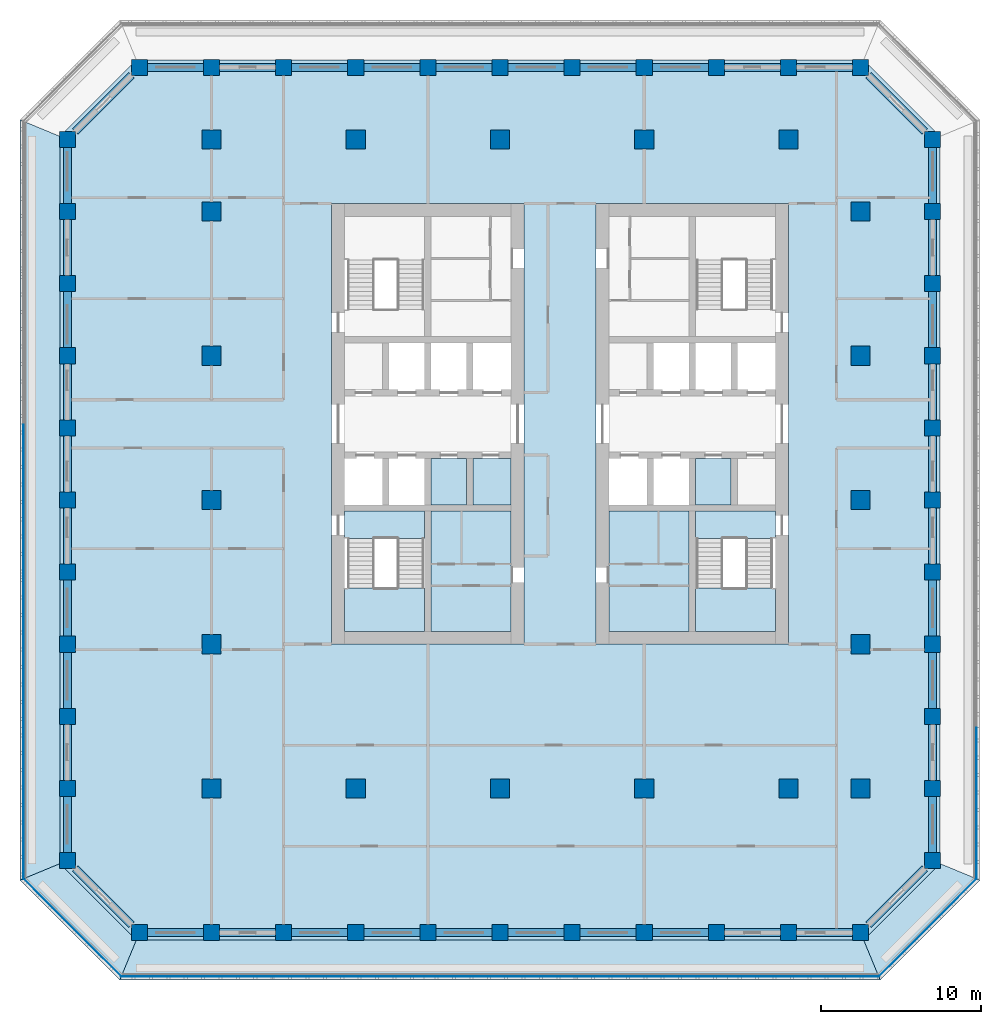
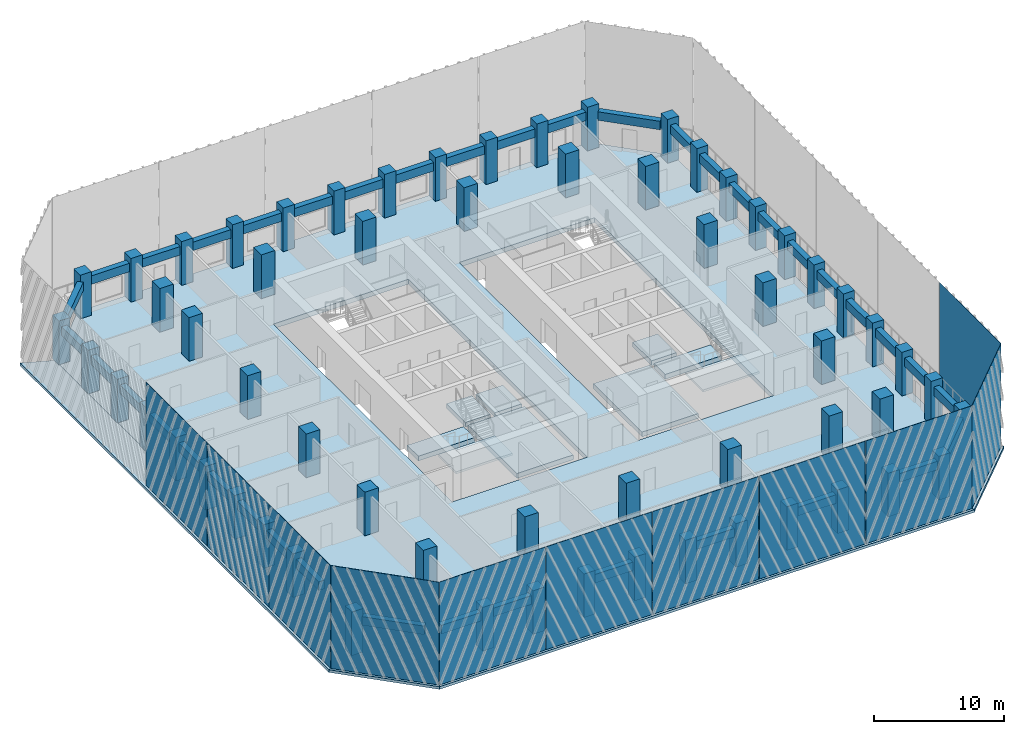
# One storey, part 1 of 18: 63 columns, 44 beams, 14 slabs, 11 plates, 2 elements without a shape of their own.
"""IFC4 building model written with IfcOpenShell, lengths in metres."""

from ifc_helpers import new_model, si_unit, direction, frame, origin, origin_2d, place, context, subcontext, project, spatial, polyline, rectangle, outline, extrude, material, layer, layer_set, material_profile, profile_set, type_object, element, aggregate, save


model = new_model("IFC4")

# Units and contexts
model_context = context("Model", 3, precision=1e-05, world=origin(), true_north=direction((0.0, 1.0)))
body_context = subcontext(model_context, "Body", "Model", "MODEL_VIEW")
ifc_project = project(units=[si_unit("LENGTHUNIT", "METRE"), si_unit("AREAUNIT", "SQUARE_METRE"), si_unit("VOLUMEUNIT", "CUBIC_METRE"), si_unit("PLANEANGLEUNIT", "RADIAN"), si_unit("MASSUNIT", "GRAM", prefix="KILO")], contexts=[model_context])

# Site, building, storey
site_placement = place(None, origin())
site = spatial("IfcSite", under=ifc_project, at=site_placement, CompositionType="ELEMENT")
building_placement = place(site_placement, origin())
building = spatial("IfcBuilding", under=site, at=building_placement, Name="Corbel Stack Research Tower", CompositionType="ELEMENT")
storey_placement = place(building_placement, frame((0.0, 0.0, 181.39990234375)))
storey = spatial("IfcBuildingStorey", under=building, at=storey_placement, Name="L41", CompositionType="ELEMENT", Elevation=181.39990234375)

# Columns
ifc_material_1 = material(Name="Concrete C60/75", Category="concrete")
ifc_material_profile_1 = material_profile(ifc_material_1, rectangle(XDim=1.0, YDim=1.0, at=origin_2d()), Name="RC 1000 x 1000")
ifc_profile_set_1 = profile_set([ifc_material_profile_1], Name="Concrete C60/75")
column_type_1 = type_object("IfcColumnType", Name="C-1000-60", PredefinedType="COLUMN", material=ifc_profile_set_1)
for number, where, z_axis, x_axis, name in (
    (1, (-27.0, -22.5, 0.0), (0.0, 0.0, 1.0), (1.0, 0.0, 0.0), "Column 2/C L41"),
    (2, (-27.0, -18.0, 0.0), (0.0, 0.0, 1.0), (1.0, 0.0, 0.0), "Column 2/D L41"),
    (3, (-27.0, -13.5, 0.0), (0.0, 0.0, 1.0), (1.0, 0.0, 0.0), "Column 2/E L41"),
    (4, (-27.0, -9.0, 0.0), (0.0, 0.0, 1.0), (1.0, 0.0, 0.0), "Column 2/F L41"),
    (5, (-27.0, -4.5, 0.0), (0.0, 0.0, 1.0), (1.0, 0.0, 0.0), "Column 2/G L41"),
    (6, (-27.0, 0.0, 0.0), (0.0, 0.0, 1.0), (1.0, 0.0, 0.0), "Column 2/H L41"),
    (7, (-27.0, 4.5, 0.0), (0.0, 0.0, 1.0), (1.0, 0.0, 0.0), "Column 2/J L41"),
    (8, (-27.0, 9.0, 0.0), (0.0, 0.0, 1.0), (1.0, 0.0, 0.0), "Column 2/K L41"),
    (9, (-27.0, 13.5, 0.0), (0.0, 0.0, 1.0), (1.0, 0.0, 0.0), "Column 2/L L41"),
    (10, (-27.0, 18.0, 0.0), (0.0, 0.0, 1.0), (1.0, 0.0, 0.0), "Column 2/M L41"),
    (11, (-27.0, 22.5, 0.0), (0.0, 0.0, 1.0), (1.0, 0.0, 0.0), "Column 2/N L41"),
    (12, (-22.5, -27.0, 0.0), (0.0, 0.0, 1.0), (1.0, 0.0, 0.0), "Column 3/B L41"),
    (13, (-22.5, 27.0, 0.0), (0.0, 0.0, 1.0), (1.0, 0.0, 0.0), "Column 3/P L41"),
    (14, (-18.0, -27.0, 0.0), (0.0, 0.0, 1.0), (1.0, 0.0, 0.0), "Column 4/B L41"),
    (15, (-18.0, 27.0, 0.0), (0.0, 0.0, 1.0), (1.0, 0.0, 0.0), "Column 4/P L41"),
    (16, (-13.5, -27.0, 0.0), (0.0, 0.0, 1.0), (1.0, 0.0, 0.0), "Column 5/B L41"),
    (17, (-13.5, 27.0, 0.0), (0.0, 0.0, 1.0), (1.0, 0.0, 0.0), "Column 5/P L41"),
    (18, (-9.0, -27.0, 0.0), (0.0, 0.0, 1.0), (1.0, 0.0, 0.0), "Column 6/B L41"),
    (19, (-9.0, 27.0, 0.0), (0.0, 0.0, 1.0), (1.0, 0.0, 0.0), "Column 6/P L41"),
    (20, (-4.5, -27.0, 0.0), (0.0, 0.0, 1.0), (1.0, 0.0, 0.0), "Column 7/B L41"),
    (21, (-4.5, 27.0, 0.0), (0.0, 0.0, 1.0), (1.0, 0.0, 0.0), "Column 7/P L41"),
    (22, (0.0, -27.0, 0.0), (0.0, 0.0, 1.0), (1.0, 0.0, 0.0), "Column 8/B L41"),
    (23, (0.0, 27.0, 0.0), (0.0, 0.0, 1.0), (1.0, 0.0, 0.0), "Column 8/P L41"),
    (24, (4.5, -27.0, 0.0), (0.0, 0.0, 1.0), (1.0, 0.0, 0.0), "Column 9/B L41"),
    (25, (4.5, 27.0, 0.0), (0.0, 0.0, 1.0), (1.0, 0.0, 0.0), "Column 9/P L41"),
    (26, (9.0, -27.0, 0.0), (0.0, 0.0, 1.0), (1.0, 0.0, 0.0), "Column 10/B L41"),
    (27, (9.0, 27.0, 0.0), (0.0, 0.0, 1.0), (1.0, 0.0, 0.0), "Column 10/P L41"),
    (28, (13.5, -27.0, 0.0), (0.0, 0.0, 1.0), (1.0, 0.0, 0.0), "Column 11/B L41"),
    (29, (13.5, 27.0, 0.0), (0.0, 0.0, 1.0), (1.0, 0.0, 0.0), "Column 11/P L41"),
    (30, (18.0, -27.0, 0.0), (0.0, 0.0, 1.0), (1.0, 0.0, 0.0), "Column 12/B L41"),
    (31, (18.0, 27.0, 0.0), (0.0, 0.0, 1.0), (1.0, 0.0, 0.0), "Column 12/P L41"),
    (32, (22.5, -27.0, 0.0), (0.0, 0.0, 1.0), (1.0, 0.0, 0.0), "Column 13/B L41"),
    (33, (22.5, 27.0, 0.0), (0.0, 0.0, 1.0), (1.0, 0.0, 0.0), "Column 13/P L41"),
    (34, (27.0, -22.5, 0.0), (0.0, 0.0, 1.0), (1.0, 0.0, 0.0), "Column 14/C L41"),
    (35, (27.0, -18.0, 0.0), (0.0, 0.0, 1.0), (1.0, 0.0, 0.0), "Column 14/D L41"),
    (36, (27.0, -13.5, 0.0), (0.0, 0.0, 1.0), (1.0, 0.0, 0.0), "Column 14/E L41"),
    (37, (27.0, -9.0, 0.0), (0.0, 0.0, 1.0), (1.0, 0.0, 0.0), "Column 14/F L41"),
    (38, (27.0, -4.5, 0.0), (0.0, 0.0, 1.0), (1.0, 0.0, 0.0), "Column 14/G L41"),
    (39, (27.0, 0.0, 0.0), (0.0, 0.0, 1.0), (1.0, 0.0, 0.0), "Column 14/H L41"),
    (40, (27.0, 4.5, 0.0), (0.0, 0.0, 1.0), (1.0, 0.0, 0.0), "Column 14/J L41"),
    (41, (27.0, 9.0, 0.0), (0.0, 0.0, 1.0), (1.0, 0.0, 0.0), "Column 14/K L41"),
    (42, (27.0, 13.5, 0.0), (0.0, 0.0, 1.0), (1.0, 0.0, 0.0), "Column 14/L L41"),
    (43, (27.0, 18.0, 0.0), (0.0, 0.0, 1.0), (1.0, 0.0, 0.0), "Column 14/M L41"),
    (44, (27.0, 22.5, 0.0), (0.0, 0.0, 1.0), (1.0, 0.0, 0.0), "Column 14/N L41"),
):
    element("IfcColumn", number, at=place(storey_placement, frame(where, z_axis=z_axis, x_axis=x_axis)), inside=storey, type_object=column_type_1, Name=name, PredefinedType="COLUMN", context=body_context, shape_type="SweptSolid", body=[
        extrude(rectangle(XDim=1.0, YDim=1.0, at=origin_2d()), origin(), (0.0, 0.0, 1.0), 4.10009765625),
    ])
ifc_material_2 = material(Name="Concrete C60/75", Category="concrete")
ifc_material_profile_2 = material_profile(ifc_material_2, rectangle(XDim=1.199951171875, YDim=1.199951171875, at=origin_2d()), Name="RC 1200 x 1200")
ifc_profile_set_2 = profile_set([ifc_material_profile_2], Name="Concrete C60/75")
column_type_2 = type_object("IfcColumnType", Name="C-1200-60", PredefinedType="COLUMN", material=ifc_profile_set_2)
for number, where, z_axis, x_axis, name in (
    (45, (-18.0, -18.0, 0.0), (0.0, 0.0, 1.0), (1.0, 0.0, 0.0), "Column 4/D L41"),
    (46, (-18.0, -9.0, 0.0), (0.0, 0.0, 1.0), (1.0, 0.0, 0.0), "Column 4/F L41"),
    (47, (-18.0, 0.0, 0.0), (0.0, 0.0, 1.0), (1.0, 0.0, 0.0), "Column 4/H L41"),
    (48, (-18.0, 9.0, 0.0), (0.0, 0.0, 1.0), (1.0, 0.0, 0.0), "Column 4/K L41"),
    (49, (-18.0, 18.0, 0.0), (0.0, 0.0, 1.0), (1.0, 0.0, 0.0), "Column 4/M L41"),
    (50, (-18.0, 22.5, 0.0), (0.0, 0.0, 1.0), (1.0, 0.0, 0.0), "Column 4/N L41"),
    (51, (-9.0, -18.0, 0.0), (0.0, 0.0, 1.0), (1.0, 0.0, 0.0), "Column 6/D L41"),
    (52, (-9.0, 22.5, 0.0), (0.0, 0.0, 1.0), (1.0, 0.0, 0.0), "Column 6/N L41"),
    (53, (0.0, -18.0, 0.0), (0.0, 0.0, 1.0), (1.0, 0.0, 0.0), "Column 8/D L41"),
    (54, (0.0, 22.5, 0.0), (0.0, 0.0, 1.0), (1.0, 0.0, 0.0), "Column 8/N L41"),
    (55, (9.0, -18.0, 0.0), (0.0, 0.0, 1.0), (1.0, 0.0, 0.0), "Column 10/D L41"),
    (56, (9.0, 22.5, 0.0), (0.0, 0.0, 1.0), (1.0, 0.0, 0.0), "Column 10/N L41"),
    (57, (18.0, -18.0, 0.0), (0.0, 0.0, 1.0), (1.0, 0.0, 0.0), "Column 12/D L41"),
    (58, (18.0, 22.5, 0.0), (0.0, 0.0, 1.0), (1.0, 0.0, 0.0), "Column 12/N L41"),
    (59, (22.5, -18.0, 0.0), (0.0, 0.0, 1.0), (1.0, 0.0, 0.0), "Column 13/D L41"),
    (60, (22.5, -9.0, 0.0), (0.0, 0.0, 1.0), (1.0, 0.0, 0.0), "Column 13/F L41"),
    (61, (22.5, 0.0, 0.0), (0.0, 0.0, 1.0), (1.0, 0.0, 0.0), "Column 13/H L41"),
    (62, (22.5, 9.0, 0.0), (0.0, 0.0, 1.0), (1.0, 0.0, 0.0), "Column 13/K L41"),
    (63, (22.5, 18.0, 0.0), (0.0, 0.0, 1.0), (1.0, 0.0, 0.0), "Column 13/M L41"),
):
    element("IfcColumn", number, at=place(storey_placement, frame(where, z_axis=z_axis, x_axis=x_axis)), inside=storey, type_object=column_type_2, Name=name, PredefinedType="COLUMN", context=body_context, shape_type="SweptSolid", body=[
        extrude(rectangle(XDim=1.199951171875, YDim=1.199951171875, at=origin_2d()), origin(), (0.0, 0.0, 1.0), 4.10009765625),
    ])

# Beams
ifc_material_3 = material(Name="Concrete C60/75", Category="concrete")
ifc_material_profile_3 = material_profile(ifc_material_3, rectangle(XDim=0.5, YDim=0.800048828125, at=origin_2d()), Name="RC 500 x 800")
ifc_profile_set_3 = profile_set([ifc_material_profile_3], Name="Concrete C60/75")
beam_type = type_object("IfcBeamType", Name="SB-500-800-600", PredefinedType="SPANDREL", material=ifc_profile_set_3)
for number, where, z_axis, x_axis, name in (
    (64, (-22.0, -27.0, 3.10009765625), (1.0, 0.0, 0.0), (0.0, 1.0, 0.0), "Spandrel beam L41-01"),
    (65, (-17.5, -27.0, 3.10009765625), (1.0, 0.0, 0.0), (0.0, 1.0, 0.0), "Spandrel beam L41-02"),
    (66, (-13.0, -27.0, 3.10009765625), (1.0, 0.0, 0.0), (0.0, 1.0, 0.0), "Spandrel beam L41-03"),
    (67, (-8.5, -27.0, 3.10009765625), (1.0, 0.0, 0.0), (0.0, 1.0, 0.0), "Spandrel beam L41-04"),
    (68, (-4.0, -27.0, 3.10009765625), (1.0, 0.0, 0.0), (0.0, 1.0, 0.0), "Spandrel beam L41-05"),
    (69, (0.5, -27.0, 3.10009765625), (1.0, 0.0, 0.0), (0.0, 1.0, 0.0), "Spandrel beam L41-06"),
    (70, (5.0, -27.0, 3.10009765625), (1.0, 0.0, 0.0), (0.0, 1.0, 0.0), "Spandrel beam L41-07"),
    (71, (9.5, -27.0, 3.10009765625), (1.0, 0.0, 0.0), (0.0, 1.0, 0.0), "Spandrel beam L41-08"),
    (72, (14.0, -27.0, 3.10009765625), (1.0, 0.0, 0.0), (0.0, 1.0, 0.0), "Spandrel beam L41-09"),
    (73, (18.5, -27.0, 3.10009765625), (1.0, 0.0, 0.0), (0.0, 1.0, 0.0), "Spandrel beam L41-10"),
):
    element("IfcBeam", number, at=place(storey_placement, frame(where, z_axis=z_axis, x_axis=x_axis)), inside=storey, type_object=beam_type, Name=name, PredefinedType="SPANDREL", context=body_context, shape_type="SweptSolid", body=[
        extrude(rectangle(XDim=0.5, YDim=0.800048828125, at=origin_2d()), origin(), (0.0, 0.0, 1.0), 3.5),
    ])
beam_1_placement = place(storey_placement, frame((23.0, -26.5, 3.10009765625), z_axis=(0.707106781187, 0.707106781187, 0.0), x_axis=(-0.707106781187, 0.707106781187, 0.0)))
element("IfcBeam", 74, at=beam_1_placement, inside=storey, type_object=beam_type, Name="Spandrel beam L41-11", PredefinedType="SPANDREL", context=body_context, shape_type="SweptSolid", body=[
    extrude(rectangle(XDim=0.5, YDim=0.800048828125, at=origin_2d()), origin(), (0.0, 0.0, 1.0), 4.94970703125),
])
for number, where, z_axis, x_axis, name in (
    (75, (27.0, -22.0, 3.10009765625), (0.0, 1.0, 0.0), (-1.0, 0.0, 0.0), "Spandrel beam L41-12"),
    (76, (27.0, -17.5, 3.10009765625), (0.0, 1.0, 0.0), (-1.0, 0.0, 0.0), "Spandrel beam L41-13"),
    (77, (27.0, -13.0, 3.10009765625), (0.0, 1.0, 0.0), (-1.0, 0.0, 0.0), "Spandrel beam L41-14"),
    (78, (27.0, -8.5, 3.10009765625), (0.0, 1.0, 0.0), (-1.0, 0.0, 0.0), "Spandrel beam L41-15"),
    (79, (27.0, -4.0, 3.10009765625), (0.0, 1.0, 0.0), (-1.0, 0.0, 0.0), "Spandrel beam L41-16"),
    (80, (27.0, 0.5, 3.10009765625), (0.0, 1.0, 0.0), (-1.0, 0.0, 0.0), "Spandrel beam L41-17"),
    (81, (27.0, 5.0, 3.10009765625), (0.0, 1.0, 0.0), (-1.0, 0.0, 0.0), "Spandrel beam L41-18"),
    (82, (27.0, 9.5, 3.10009765625), (0.0, 1.0, 0.0), (-1.0, 0.0, 0.0), "Spandrel beam L41-19"),
    (83, (27.0, 14.0, 3.10009765625), (0.0, 1.0, 0.0), (-1.0, 0.0, 0.0), "Spandrel beam L41-20"),
    (84, (27.0, 18.5, 3.10009765625), (0.0, 1.0, 0.0), (-1.0, 0.0, 0.0), "Spandrel beam L41-21"),
):
    element("IfcBeam", number, at=place(storey_placement, frame(where, z_axis=z_axis, x_axis=x_axis)), inside=storey, type_object=beam_type, Name=name, PredefinedType="SPANDREL", context=body_context, shape_type="SweptSolid", body=[
        extrude(rectangle(XDim=0.5, YDim=0.800048828125, at=origin_2d()), origin(), (0.0, 0.0, 1.0), 3.5),
    ])
beam_2_placement = place(storey_placement, frame((26.5, 23.0, 3.10009765625), z_axis=(-0.707106781187, 0.707106781187, 0.0), x_axis=(-0.707106781187, -0.707106781187, 0.0)))
element("IfcBeam", 85, at=beam_2_placement, inside=storey, type_object=beam_type, Name="Spandrel beam L41-22", PredefinedType="SPANDREL", context=body_context, shape_type="SweptSolid", body=[
    extrude(rectangle(XDim=0.5, YDim=0.800048828125, at=origin_2d()), origin(), (0.0, 0.0, 1.0), 4.94970703125),
])
for number, where, z_axis, x_axis, name in (
    (86, (22.0, 27.0, 3.10009765625), (-1.0, 0.0, 0.0), (0.0, -1.0, 0.0), "Spandrel beam L41-23"),
    (87, (17.5, 27.0, 3.10009765625), (-1.0, 0.0, 0.0), (0.0, -1.0, 0.0), "Spandrel beam L41-24"),
    (88, (13.0, 27.0, 3.10009765625), (-1.0, 0.0, 0.0), (0.0, -1.0, 0.0), "Spandrel beam L41-25"),
    (89, (8.5, 27.0, 3.10009765625), (-1.0, 0.0, 0.0), (0.0, -1.0, 0.0), "Spandrel beam L41-26"),
    (90, (4.0, 27.0, 3.10009765625), (-1.0, 0.0, 0.0), (0.0, -1.0, 0.0), "Spandrel beam L41-27"),
    (91, (-0.5, 27.0, 3.10009765625), (-1.0, 0.0, 0.0), (0.0, -1.0, 0.0), "Spandrel beam L41-28"),
    (92, (-5.0, 27.0, 3.10009765625), (-1.0, 0.0, 0.0), (0.0, -1.0, 0.0), "Spandrel beam L41-29"),
    (93, (-9.5, 27.0, 3.10009765625), (-1.0, 0.0, 0.0), (0.0, -1.0, 0.0), "Spandrel beam L41-30"),
    (94, (-14.0, 27.0, 3.10009765625), (-1.0, 0.0, 0.0), (0.0, -1.0, 0.0), "Spandrel beam L41-31"),
    (95, (-18.5, 27.0, 3.10009765625), (-1.0, 0.0, 0.0), (0.0, -1.0, 0.0), "Spandrel beam L41-32"),
):
    element("IfcBeam", number, at=place(storey_placement, frame(where, z_axis=z_axis, x_axis=x_axis)), inside=storey, type_object=beam_type, Name=name, PredefinedType="SPANDREL", context=body_context, shape_type="SweptSolid", body=[
        extrude(rectangle(XDim=0.5, YDim=0.800048828125, at=origin_2d()), origin(), (0.0, 0.0, 1.0), 3.5),
    ])
beam_3_placement = place(storey_placement, frame((-23.0, 26.5, 3.10009765625), z_axis=(-0.707106781187, -0.707106781187, 0.0), x_axis=(0.707106781187, -0.707106781187, 0.0)))
element("IfcBeam", 96, at=beam_3_placement, inside=storey, type_object=beam_type, Name="Spandrel beam L41-33", PredefinedType="SPANDREL", context=body_context, shape_type="SweptSolid", body=[
    extrude(rectangle(XDim=0.5, YDim=0.800048828125, at=origin_2d()), origin(), (0.0, 0.0, 1.0), 4.94970703125),
])
for number, where, z_axis, x_axis, name in (
    (97, (-27.0, 22.0, 3.10009765625), (0.0, -1.0, 0.0), (1.0, 0.0, 0.0), "Spandrel beam L41-34"),
    (98, (-27.0, 17.5, 3.10009765625), (0.0, -1.0, 0.0), (1.0, 0.0, 0.0), "Spandrel beam L41-35"),
    (99, (-27.0, 13.0, 3.10009765625), (0.0, -1.0, 0.0), (1.0, 0.0, 0.0), "Spandrel beam L41-36"),
    (100, (-27.0, 8.5, 3.10009765625), (0.0, -1.0, 0.0), (1.0, 0.0, 0.0), "Spandrel beam L41-37"),
    (101, (-27.0, 4.0, 3.10009765625), (0.0, -1.0, 0.0), (1.0, 0.0, 0.0), "Spandrel beam L41-38"),
    (102, (-27.0, -0.5, 3.10009765625), (0.0, -1.0, 0.0), (1.0, 0.0, 0.0), "Spandrel beam L41-39"),
    (103, (-27.0, -5.0, 3.10009765625), (0.0, -1.0, 0.0), (1.0, 0.0, 0.0), "Spandrel beam L41-40"),
    (104, (-27.0, -9.5, 3.10009765625), (0.0, -1.0, 0.0), (1.0, 0.0, 0.0), "Spandrel beam L41-41"),
    (105, (-27.0, -14.0, 3.10009765625), (0.0, -1.0, 0.0), (1.0, 0.0, 0.0), "Spandrel beam L41-42"),
    (106, (-27.0, -18.5, 3.10009765625), (0.0, -1.0, 0.0), (1.0, 0.0, 0.0), "Spandrel beam L41-43"),
):
    element("IfcBeam", number, at=place(storey_placement, frame(where, z_axis=z_axis, x_axis=x_axis)), inside=storey, type_object=beam_type, Name=name, PredefinedType="SPANDREL", context=body_context, shape_type="SweptSolid", body=[
        extrude(rectangle(XDim=0.5, YDim=0.800048828125, at=origin_2d()), origin(), (0.0, 0.0, 1.0), 3.5),
    ])
beam_4_placement = place(storey_placement, frame((-26.5, -23.0, 3.10009765625), z_axis=(0.707106781187, -0.707106781187, 0.0), x_axis=(0.707106781187, 0.707106781187, 0.0)))
element("IfcBeam", 107, at=beam_4_placement, inside=storey, type_object=beam_type, Name="Spandrel beam L41-44", PredefinedType="SPANDREL", context=body_context, shape_type="SweptSolid", body=[
    extrude(rectangle(XDim=0.5, YDim=0.800048828125, at=origin_2d()), origin(), (0.0, 0.0, 1.0), 4.94970703125),
])

# Plates
ifc_material_4 = material(Name="Fritted glass", Category="glass")
ifc_layer_1 = layer(ifc_material_4, 0.02490234375)
ifc_layer_set_1 = layer_set([ifc_layer_1], Name="Fritted glass")
plate_type = type_object("IfcPlateType", Name="Fritted glass panel 25", PredefinedType="SHEET", material=ifc_layer_set_1)
for number, where, z_axis, x_axis, name in (
    (108, (-18.911376953125, -29.737548828125, 0.000244140625), (0.0, 0.0, 1.0), (1.0, 0.0, 0.0), "Fritted glass L41 S1"),
    (109, (-9.45556640625, -29.737548828125, 0.000244140625), (0.0, 0.0, 1.0), (1.0, 0.0, 0.0), "Fritted glass L41 S2"),
    (110, (0.0, -29.737548828125, 0.000244140625), (0.0, 0.0, 1.0), (1.0, 0.0, 0.0), "Fritted glass L41 S3"),
    (111, (9.45556640625, -29.737548828125, 0.000244140625), (0.0, 0.0, 1.0), (1.0, 0.0, 0.0), "Fritted glass L41 S4"),
    (112, (18.911376953125, -29.737548828125, 0.000244140625), (0.0, 0.0, 1.0), (1.0, 0.0, 0.0), "Fritted glass L41 S5"),
):
    element("IfcPlate", number, at=place(storey_placement, frame(where, z_axis=z_axis, x_axis=x_axis)), inside=storey, type_object=plate_type, Name=name, PredefinedType="SHEET", context=body_context, shape_type="SweptSolid", body=[
        extrude(rectangle(XDim=9.3955078125, YDim=0.02490234375, at=origin_2d()), origin(), (0.0, 0.0, 1.0), 9.64990234375),
    ])
plate_1_placement = place(storey_placement, frame((26.685791015625, -26.685791015625, 0.000244140625), z_axis=(0.0, 0.0, 1.0), x_axis=(0.707106781187, 0.707106781187, 0.0)))
element("IfcPlate", 113, at=plate_1_placement, inside=storey, type_object=plate_type, Name="Fritted glass L41 SE1", PredefinedType="SHEET", context=body_context, shape_type="SweptSolid", body=[
    extrude(rectangle(XDim=8.58203125, YDim=0.02490234375, at=origin_2d()), origin(), (0.0, 0.0, 1.0), 9.64990234375),
])
for number, where, z_axis, x_axis, name in (
    (114, (29.737548828125, -18.911376953125, 0.000244140625), (0.0, 0.0, 1.0), (0.0, 1.0, 0.0), "Fritted glass L41 E1"),
    (115, (-29.737548828125, 0.0, 0.000244140625), (0.0, 0.0, 1.0), (0.0, -1.0, 0.0), "Fritted glass L41 W3"),
    (116, (-29.737548828125, -9.45556640625, 0.000244140625), (0.0, 0.0, 1.0), (0.0, -1.0, 0.0), "Fritted glass L41 W4"),
    (117, (-29.737548828125, -18.911376953125, 0.000244140625), (0.0, 0.0, 1.0), (0.0, -1.0, 0.0), "Fritted glass L41 W5"),
):
    element("IfcPlate", number, at=place(storey_placement, frame(where, z_axis=z_axis, x_axis=x_axis)), inside=storey, type_object=plate_type, Name=name, PredefinedType="SHEET", context=body_context, shape_type="SweptSolid", body=[
        extrude(rectangle(XDim=9.3955078125, YDim=0.02490234375, at=origin_2d()), origin(), (0.0, 0.0, 1.0), 9.64990234375),
    ])
plate_2_placement = place(storey_placement, frame((-26.685791015625, -26.685791015625, 0.000244140625), z_axis=(0.0, 0.0, 1.0), x_axis=(0.707106781187, -0.707106781187, 0.0)))
element("IfcPlate", 118, at=plate_2_placement, inside=storey, type_object=plate_type, Name="Fritted glass L41 SW1", PredefinedType="SHEET", context=body_context, shape_type="SweptSolid", body=[
    extrude(rectangle(XDim=8.58203125, YDim=0.02490234375, at=origin_2d()), origin(), (0.0, 0.0, 1.0), 9.64990234375),
])

# Slabs
ifc_material_5 = material(Name="Concrete C45/55", Category="concrete")
ifc_layer_2 = layer(ifc_material_5, 0.25)
ifc_layer_set_2 = layer_set([ifc_layer_2], Name="Concrete C45/55")
slab_type_1 = type_object("IfcSlabType", Name="PT balcony slab 250 C45/55", PredefinedType="FLOOR", material=ifc_layer_set_2)
slab_1_placement = place(storey_placement, frame((0.0, 0.0, -0.25)))
element("IfcSlab", 119, at=slab_1_placement, inside=storey, type_object=slab_type_1, Name="Loggia slab L41 S", PredefinedType="FLOOR", context=body_context, shape_type="SweptSolid", body=[
    extrude(outline(polyline([(22.70703125, -27.5), (22.0, -27.5), (22.0, -27.449951171875), (18.5, -27.449951171875), (18.5, -27.5), (17.5, -27.5), (17.5, -27.449951171875), (14.0, -27.449951171875), (14.0, -27.5), (13.0, -27.5), (13.0, -27.449951171875), (9.5, -27.449951171875), (9.5, -27.5), (8.5, -27.5), (8.5, -27.449951171875), (5.0, -27.449951171875), (5.0, -27.5), (4.0, -27.5), (4.0, -27.449951171875), (0.5, -27.449951171875), (0.5, -27.5), (-0.5, -27.5), (-0.5, -27.449951171875), (-4.0, -27.449951171875), (-4.0, -27.5), (-5.0, -27.5), (-5.0, -27.449951171875), (-8.5, -27.449951171875), (-8.5, -27.5), (-9.5, -27.5), (-9.5, -27.449951171875), (-13.0, -27.449951171875), (-13.0, -27.5), (-14.0, -27.5), (-14.0, -27.449951171875), (-17.5, -27.449951171875), (-17.5, -27.5), (-18.5, -27.5), (-18.5, -27.449951171875), (-22.0, -27.449951171875), (-22.0, -27.5), (-22.70703125, -27.5), (-23.721923828125, -29.949951171875), (23.721923828125, -29.949951171875), (22.70703125, -27.5)])), origin(), (0.0, 0.0, 1.0), 0.25),
])
slab_2_placement = place(storey_placement, frame((0.0, 0.0, -0.25)))
element("IfcSlab", 120, at=slab_2_placement, inside=storey, type_object=slab_type_1, Name="Loggia slab L41 SE", PredefinedType="FLOOR", context=body_context, shape_type="SweptSolid", body=[
    extrude(outline(polyline([(27.5, -22.70703125), (27.5, -23.0), (27.136474609375, -23.0), (23.0, -27.136474609375), (23.0, -27.5), (22.70703125, -27.5), (23.721923828125, -29.949951171875), (29.949951171875, -23.721923828125), (27.5, -22.70703125)])), origin(), (0.0, 0.0, 1.0), 0.25),
])
slab_3_placement = place(storey_placement, frame((0.0, 0.0, -0.25)))
element("IfcSlab", 121, at=slab_3_placement, inside=storey, type_object=slab_type_1, Name="Loggia slab L41 W", PredefinedType="FLOOR", context=body_context, shape_type="SweptSolid", body=[
    extrude(outline(polyline([(-27.5, -22.70703125), (-27.5, -22.0), (-27.449951171875, -22.0), (-27.449951171875, -18.5), (-27.5, -18.5), (-27.5, -17.5), (-27.449951171875, -17.5), (-27.449951171875, -14.0), (-27.5, -14.0), (-27.5, -13.0), (-27.449951171875, -13.0), (-27.449951171875, -9.5), (-27.5, -9.5), (-27.5, -8.5), (-27.449951171875, -8.5), (-27.449951171875, -5.0), (-27.5, -5.0), (-27.5, -4.0), (-27.449951171875, -4.0), (-27.449951171875, -0.5), (-27.5, -0.5), (-27.5, 0.5), (-27.449951171875, 0.5), (-27.449951171875, 4.0), (-27.5, 4.0), (-27.5, 5.0), (-27.449951171875, 5.0), (-27.449951171875, 8.5), (-27.5, 8.5), (-27.5, 9.5), (-27.449951171875, 9.5), (-27.449951171875, 13.0), (-27.5, 13.0), (-27.5, 14.0), (-27.449951171875, 14.0), (-27.449951171875, 17.5), (-27.5, 17.5), (-27.5, 18.5), (-27.449951171875, 18.5), (-27.449951171875, 22.0), (-27.5, 22.0), (-27.5, 22.70703125), (-29.949951171875, 23.721923828125), (-29.949951171875, -23.721923828125), (-27.5, -22.70703125)])), origin(), (0.0, 0.0, 1.0), 0.25),
])
slab_4_placement = place(storey_placement, frame((0.0, 0.0, -0.25)))
element("IfcSlab", 122, at=slab_4_placement, inside=storey, type_object=slab_type_1, Name="Loggia slab L41 SW", PredefinedType="FLOOR", context=body_context, shape_type="SweptSolid", body=[
    extrude(outline(polyline([(-22.70703125, -27.5), (-23.0, -27.5), (-23.0, -27.136474609375), (-27.136474609375, -23.0), (-27.5, -23.0), (-27.5, -22.70703125), (-29.949951171875, -23.721923828125), (-23.721923828125, -29.949951171875), (-22.70703125, -27.5)])), origin(), (0.0, 0.0, 1.0), 0.25),
])
ifc_material_6 = material(Name="Concrete C45/55", Category="concrete")
ifc_layer_3 = layer(ifc_material_6, 0.449951171875)
ifc_layer_set_3 = layer_set([ifc_layer_3], Name="Concrete C45/55")
slab_type_2 = type_object("IfcSlabType", Name="PT-450", PredefinedType="FLOOR", material=ifc_layer_set_3)
slab_5_placement = place(storey_placement, frame((0.0, 0.0, -0.449951171875)))
element("IfcSlab", 123, at=slab_5_placement, inside=storey, type_object=slab_type_2, Name="Floor slab L41", PredefinedType="FLOOR", context=body_context, shape_type="SweptSolid", body=[
    extrude(outline(polyline([(-22.686279296875, -27.449951171875), (22.686279296875, -27.449951171875), (27.449951171875, -22.686279296875), (27.449951171875, 22.686279296875), (22.686279296875, 27.449951171875), (-22.686279296875, 27.449951171875), (-27.449951171875, 22.686279296875), (-27.449951171875, -22.686279296875), (-22.686279296875, -27.449951171875)]), holes=[polyline([(23.10009765625, 17.39990234375), (21.89990234375, 17.39990234375), (21.89990234375, 18.60009765625), (23.10009765625, 18.60009765625), (23.10009765625, 17.39990234375)]), polyline([(21.89990234375, 8.39990234375), (21.89990234375, 9.60009765625), (23.10009765625, 9.60009765625), (23.10009765625, 8.39990234375), (21.89990234375, 8.39990234375)]), polyline([(23.10009765625, -0.60009765625), (21.89990234375, -0.60009765625), (21.89990234375, 0.60009765625), (23.10009765625, 0.60009765625), (23.10009765625, -0.60009765625)]), polyline([(21.89990234375, -9.60009765625), (21.89990234375, -8.39990234375), (23.10009765625, -8.39990234375), (23.10009765625, -9.60009765625), (21.89990234375, -9.60009765625)]), polyline([(21.89990234375, -18.60009765625), (21.89990234375, -17.39990234375), (23.10009765625, -17.39990234375), (23.10009765625, -18.60009765625), (21.89990234375, -18.60009765625)]), polyline([(17.39990234375, 21.89990234375), (17.39990234375, 23.10009765625), (18.60009765625, 23.10009765625), (18.60009765625, 21.89990234375), (17.39990234375, 21.89990234375)]), polyline([(18.60009765625, -18.60009765625), (17.39990234375, -18.60009765625), (17.39990234375, -17.39990234375), (18.60009765625, -17.39990234375), (18.60009765625, -18.60009765625)]), polyline([(6.0, -9.0), (6.0, 18.5), (18.0, 18.5), (18.0, -9.0), (6.0, -9.0)]), polyline([(8.39990234375, 21.89990234375), (8.39990234375, 23.10009765625), (9.60009765625, 23.10009765625), (9.60009765625, 21.89990234375), (8.39990234375, 21.89990234375)]), polyline([(9.60009765625, -18.60009765625), (8.39990234375, -18.60009765625), (8.39990234375, -17.39990234375), (9.60009765625, -17.39990234375), (9.60009765625, -18.60009765625)]), polyline([(1.5, -9.0), (-10.5, -9.0), (-10.5, 18.5), (1.5, 18.5), (1.5, -9.0)]), polyline([(0.60009765625, 21.89990234375), (-0.60009765625, 21.89990234375), (-0.60009765625, 23.10009765625), (0.60009765625, 23.10009765625), (0.60009765625, 21.89990234375)]), polyline([(0.60009765625, -18.60009765625), (-0.60009765625, -18.60009765625), (-0.60009765625, -17.39990234375), (0.60009765625, -17.39990234375), (0.60009765625, -18.60009765625)]), polyline([(-9.60009765625, 21.89990234375), (-9.60009765625, 23.10009765625), (-8.39990234375, 23.10009765625), (-8.39990234375, 21.89990234375), (-9.60009765625, 21.89990234375)]), polyline([(-8.39990234375, -18.60009765625), (-9.60009765625, -18.60009765625), (-9.60009765625, -17.39990234375), (-8.39990234375, -17.39990234375), (-8.39990234375, -18.60009765625)]), polyline([(-18.60009765625, 21.89990234375), (-18.60009765625, 23.10009765625), (-17.39990234375, 23.10009765625), (-17.39990234375, 21.89990234375), (-18.60009765625, 21.89990234375)]), polyline([(-17.39990234375, 17.39990234375), (-18.60009765625, 17.39990234375), (-18.60009765625, 18.60009765625), (-17.39990234375, 18.60009765625), (-17.39990234375, 17.39990234375)]), polyline([(-17.39990234375, 8.39990234375), (-18.60009765625, 8.39990234375), (-18.60009765625, 9.60009765625), (-17.39990234375, 9.60009765625), (-17.39990234375, 8.39990234375)]), polyline([(-18.60009765625, -0.60009765625), (-18.60009765625, 0.60009765625), (-17.39990234375, 0.60009765625), (-17.39990234375, -0.60009765625), (-18.60009765625, -0.60009765625)]), polyline([(-18.60009765625, -9.60009765625), (-18.60009765625, -8.39990234375), (-17.39990234375, -8.39990234375), (-17.39990234375, -9.60009765625), (-18.60009765625, -9.60009765625)]), polyline([(-17.39990234375, -18.60009765625), (-18.60009765625, -18.60009765625), (-18.60009765625, -17.39990234375), (-17.39990234375, -17.39990234375), (-17.39990234375, -18.60009765625)])]), origin(), (0.0, 0.0, 1.0), 0.449951171875),
])
slab_6_placement = place(storey_placement, frame((0.0, 0.0, -0.449951171875)))
element("IfcSlab", 124, at=slab_6_placement, inside=storey, type_object=slab_type_2, Name="West core floor L41", PredefinedType="FLOOR", context=body_context, shape_type="SweptSolid", body=[
    extrude(outline(polyline([(-4.300048828125, -0.699951171875), (-4.300048828125, -8.199951171875), (0.699951171875, -8.199951171875), (0.699951171875, -0.699951171875), (-4.300048828125, -0.699951171875)])), origin(), (0.0, 0.0, 1.0), 0.449951171875),
])
slab_7_placement = place(storey_placement, frame((0.0, 0.0, -0.449951171875)))
element("IfcSlab", 125, at=slab_7_placement, inside=storey, type_object=slab_type_2, Name="West core floor L41", PredefinedType="FLOOR", context=body_context, shape_type="SweptSolid", body=[
    extrude(outline(polyline([(-2.074951171875, -0.300048828125), (-2.074951171875, 2.60009765625), (-4.300048828125, 2.60009765625), (-4.300048828125, -0.300048828125), (-2.074951171875, -0.300048828125)])), origin(), (0.0, 0.0, 1.0), 0.449951171875),
])
slab_8_placement = place(storey_placement, frame((0.0, 0.0, -0.449951171875)))
element("IfcSlab", 126, at=slab_8_placement, inside=storey, type_object=slab_type_2, Name="West core floor L41", PredefinedType="FLOOR", context=body_context, shape_type="SweptSolid", body=[
    extrude(outline(polyline([(0.699951171875, -0.300048828125), (0.699951171875, 2.60009765625), (-1.675048828125, 2.60009765625), (-1.675048828125, -0.300048828125), (0.699951171875, -0.300048828125)])), origin(), (0.0, 0.0, 1.0), 0.449951171875),
])
slab_9_placement = place(storey_placement, frame((0.0, 0.0, -0.449951171875)))
element("IfcSlab", 127, at=slab_9_placement, inside=storey, type_object=slab_type_2, Name="East core floor L41", PredefinedType="FLOOR", context=body_context, shape_type="SweptSolid", body=[
    extrude(outline(polyline([(6.800048828125, -0.699951171875), (6.800048828125, -8.199951171875), (11.800048828125, -8.199951171875), (11.800048828125, -0.699951171875), (6.800048828125, -0.699951171875)])), origin(), (0.0, 0.0, 1.0), 0.449951171875),
])
slab_10_placement = place(storey_placement, frame((0.0, 0.0, -0.449951171875)))
element("IfcSlab", 128, at=slab_10_placement, inside=storey, type_object=slab_type_2, Name="East core floor L41", PredefinedType="FLOOR", context=body_context, shape_type="SweptSolid", body=[
    extrude(outline(polyline([(14.425048828125, -0.300048828125), (14.425048828125, 2.60009765625), (12.199951171875, 2.60009765625), (12.199951171875, -0.300048828125), (14.425048828125, -0.300048828125)])), origin(), (0.0, 0.0, 1.0), 0.449951171875),
])
slab_11_placement = place(storey_placement, frame((0.0, 0.0, -0.449951171875)))
element("IfcSlab", 129, at=slab_11_placement, inside=storey, type_object=slab_type_2, Name="Stair floor landing ST-W1", PredefinedType="FLOOR", context=body_context, shape_type="SweptSolid", body=[
    extrude(outline(polyline([(-9.699951171875, -2.39990234375), (-4.699951171875, -2.39990234375), (-4.699951171875, -0.699951171875), (-9.699951171875, -0.699951171875), (-9.699951171875, -2.39990234375)])), origin(), (0.0, 0.0, 1.0), 0.449951171875),
])
slab_12_placement = place(storey_placement, frame((0.0, 0.0, -0.449951171875)))
element("IfcSlab", 130, at=slab_12_placement, inside=storey, type_object=slab_type_2, Name="Stair floor landing ST-E1", PredefinedType="FLOOR", context=body_context, shape_type="SweptSolid", body=[
    extrude(outline(polyline([(12.199951171875, -2.39990234375), (17.199951171875, -2.39990234375), (17.199951171875, -0.699951171875), (12.199951171875, -0.699951171875), (12.199951171875, -2.39990234375)])), origin(), (0.0, 0.0, 1.0), 0.449951171875),
])

# Stair, slab
ifc_material_7 = material(Name="Concrete C40/50", Category="concrete")
stair_type = type_object("IfcStairType", Name="Exit stair 24 risers", PredefinedType="HALF_TURN_STAIR", material=ifc_material_7)
stair_1_placement = place(storey_placement, origin())
stair_1 = element("IfcStair", 131, at=stair_1_placement, inside=storey, type_object=stair_type, Name="L41 Exit stair ST-W1", PredefinedType="HALF_TURN_STAIR")
ifc_material_8 = material(Name="Concrete C40/50", Category="concrete")
ifc_layer_4 = layer(ifc_material_8, 0.199951171875)
ifc_layer_set_4 = layer_set([ifc_layer_4], Name="Concrete C40/50")
slab_type_3 = type_object("IfcSlabType", Name="Stair landing 200 C40/50", PredefinedType="LANDING", material=ifc_layer_set_4)
slab_13_placement = place(storey_placement, frame((0.0, 0.0, 1.85009765625)))
slab_13 = element("IfcSlab", 132, at=slab_13_placement, type_object=slab_type_3, Name="ST-W1 landing 1", PredefinedType="LANDING", context=body_context, shape_type="SweptSolid", body=[
    extrude(outline(polyline([(-9.699951171875, -8.199951171875), (-9.699951171875, -5.47998046875), (-4.699951171875, -5.47998046875), (-4.699951171875, -8.199951171875), (-9.699951171875, -8.199951171875)])), origin(), (0.0, 0.0, 1.0), 0.199951171875),
])
aggregate(stair_1, [slab_13])

stair_2_placement = place(storey_placement, origin())
stair_2 = element("IfcStair", 133, at=stair_2_placement, inside=storey, type_object=stair_type, Name="L41 Exit stair ST-E1", PredefinedType="HALF_TURN_STAIR")
slab_14_placement = place(storey_placement, frame((0.0, 0.0, 1.85009765625)))
slab_14 = element("IfcSlab", 134, at=slab_14_placement, type_object=slab_type_3, Name="ST-E1 landing 1", PredefinedType="LANDING", context=body_context, shape_type="SweptSolid", body=[
    extrude(outline(polyline([(12.199951171875, -8.199951171875), (12.199951171875, -5.47998046875), (17.199951171875, -5.47998046875), (17.199951171875, -8.199951171875), (12.199951171875, -8.199951171875)])), origin(), (0.0, 0.0, 1.0), 0.199951171875),
])
aggregate(stair_2, [slab_14])

save(model, "model.ifc")
